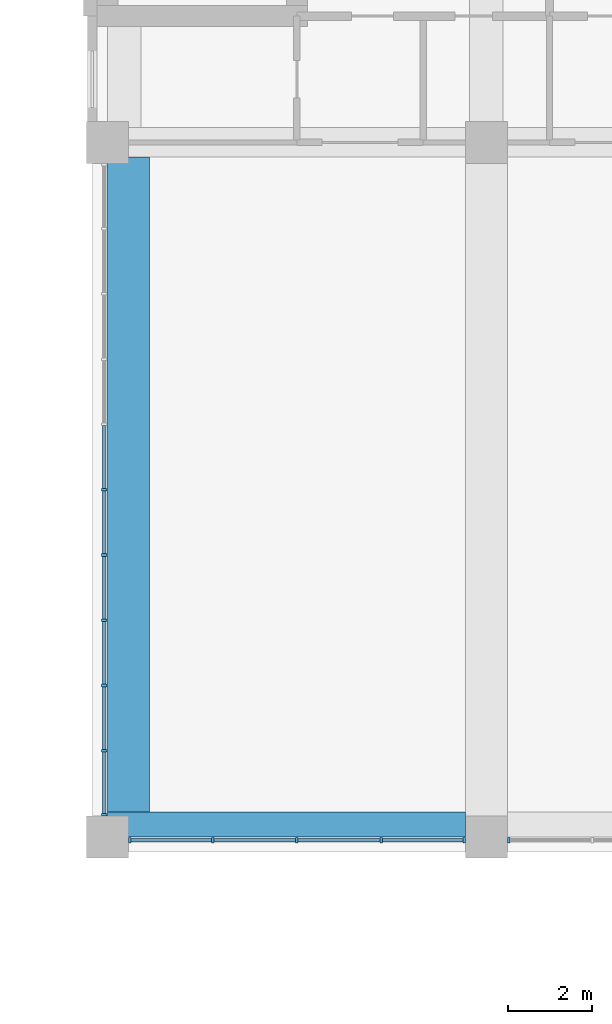
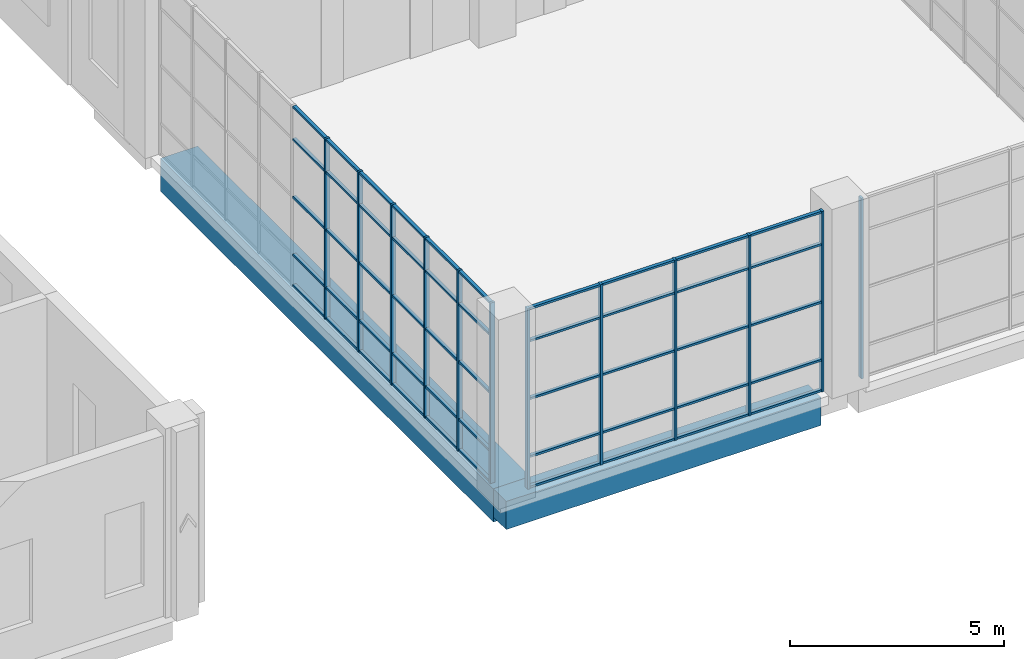
# One storey, part 6 of 33: 62 members, 2 beams, 3 elements without a shape of their own.
"""IFC4 building model written with IfcOpenShell, lengths in metres."""

from ifc_helpers import new_model, si_unit, direction, frame, origin, origin_2d, place, context, subcontext, project, spatial, rectangle, extrude, material, layer, layer_set, material_profile, profile_set, type_object, element, aggregate, save


model = new_model("IFC4")

# Units and contexts
model_context = context("Model", 3, precision=1e-05, world=origin(), true_north=direction((0.0, 1.0)))
body_context = subcontext(model_context, "Body", "Model", "MODEL_VIEW")
ifc_project = project(units=[si_unit("LENGTHUNIT", "METRE"), si_unit("AREAUNIT", "SQUARE_METRE"), si_unit("VOLUMEUNIT", "CUBIC_METRE"), si_unit("PLANEANGLEUNIT", "RADIAN"), si_unit("MASSUNIT", "GRAM", prefix="KILO")], contexts=[model_context])

# Site, building, storey
site_placement = place(None, origin())
site = spatial("IfcSite", under=ifc_project, at=site_placement, CompositionType="ELEMENT")
building_placement = place(site_placement, origin())
building = spatial("IfcBuilding", under=site, at=building_placement, Name="Aurelan Courthouse", CompositionType="ELEMENT")
storey_placement = place(building_placement, frame((0.0, 0.0, 22.800048828125)))
storey = spatial("IfcBuildingStorey", under=building, at=storey_placement, Name="L04", CompositionType="ELEMENT", Elevation=22.800048828125)

# Curtain wall, members
ifc_material_1 = material(Name="Bronze-finished aluminium and glass", Category="aluminium")
ifc_layer_1 = layer(ifc_material_1, 0.14990234375)
ifc_layer_set_1 = layer_set([ifc_layer_1], Name="Bronze-finished aluminium and glass")
curtain_wall_type_1 = type_object("IfcCurtainWallType", Name="Curtain wall 8000 x 5150", PredefinedType="NOTDEFINED", material=ifc_layer_set_1)
curtain_wall_1_placement = place(storey_placement, origin())
curtain_wall_1 = element("IfcCurtainWall", 1, at=curtain_wall_1_placement, inside=storey, type_object=curtain_wall_type_1, Name="Curtain wall CW-V3-L04-S01", PredefinedType="NOTDEFINED")
ifc_material_2 = material(Name="Bronze-finished aluminium", Category="aluminium")
ifc_material_profile_1 = material_profile(ifc_material_2, rectangle(XDim=0.125, YDim=0.06005859375, at=origin_2d()), Name="Bronze mullion 60 x 125")
ifc_profile_set_1 = profile_set([ifc_material_profile_1], Name="Bronze-finished aluminium")
member_type_1 = type_object("IfcMemberType", Name="Curtain wall mullion 60 x 125", PredefinedType="MULLION", material=ifc_profile_set_1)
member_1_placement = place(storey_placement, frame((72.530029296875, 37.425048828125, 0.0), z_axis=(0.0, 0.0, 1.0), x_axis=(0.0, 1.0, 0.0)))
member_1 = element("IfcMember", 2, at=member_1_placement, type_object=member_type_1, Name="CW-V3-L04-S01 mullion 1", PredefinedType="MULLION", context=body_context, shape_type="SweptSolid", body=[
    extrude(rectangle(XDim=0.125, YDim=0.06005859375, at=origin_2d()), origin(), (0.0, 0.0, 1.0), 5.14990234375),
])
member_2_placement = place(storey_placement, frame((74.5, 37.425048828125, 0.0), z_axis=(0.0, 0.0, 1.0), x_axis=(0.0, 1.0, 0.0)))
member_2 = element("IfcMember", 3, at=member_2_placement, type_object=member_type_1, Name="CW-V3-L04-S01 mullion 2", PredefinedType="MULLION", context=body_context, shape_type="SweptSolid", body=[
    extrude(rectangle(XDim=0.125, YDim=0.06005859375, at=origin_2d()), origin(), (0.0, 0.0, 1.0), 5.14990234375),
])
member_3_placement = place(storey_placement, frame((76.5, 37.425048828125, 0.0), z_axis=(0.0, 0.0, 1.0), x_axis=(0.0, 1.0, 0.0)))
member_3 = element("IfcMember", 4, at=member_3_placement, type_object=member_type_1, Name="CW-V3-L04-S01 mullion 3", PredefinedType="MULLION", context=body_context, shape_type="SweptSolid", body=[
    extrude(rectangle(XDim=0.125, YDim=0.06005859375, at=origin_2d()), origin(), (0.0, 0.0, 1.0), 5.14990234375),
])
member_4_placement = place(storey_placement, frame((78.5, 37.425048828125, 0.0), z_axis=(0.0, 0.0, 1.0), x_axis=(0.0, 1.0, 0.0)))
member_4 = element("IfcMember", 5, at=member_4_placement, type_object=member_type_1, Name="CW-V3-L04-S01 mullion 4", PredefinedType="MULLION", context=body_context, shape_type="SweptSolid", body=[
    extrude(rectangle(XDim=0.125, YDim=0.06005859375, at=origin_2d()), origin(), (0.0, 0.0, 1.0), 5.14990234375),
])
member_5_placement = place(storey_placement, frame((80.469970703125, 37.425048828125, 0.0), z_axis=(0.0, 0.0, 1.0), x_axis=(0.0, 1.0, 0.0)))
member_5 = element("IfcMember", 6, at=member_5_placement, type_object=member_type_1, Name="CW-V3-L04-S01 mullion 5", PredefinedType="MULLION", context=body_context, shape_type="SweptSolid", body=[
    extrude(rectangle(XDim=0.125, YDim=0.06005859375, at=origin_2d()), origin(), (0.0, 0.0, 1.0), 5.14990234375),
])

# Curtain wall, member
ifc_layer_2 = layer(ifc_material_1, 0.14990234375)
ifc_layer_set_2 = layer_set([ifc_layer_2], Name="Bronze-finished aluminium and glass")
curtain_wall_type_2 = type_object("IfcCurtainWallType", Name="Curtain wall 8050 x 5150", PredefinedType="NOTDEFINED", material=ifc_layer_set_2)
curtain_wall_2_placement = place(storey_placement, origin())
curtain_wall_2 = element("IfcCurtainWall", 7, at=curtain_wall_2_placement, inside=storey, type_object=curtain_wall_type_2, Name="Curtain wall CW-V3-L04-S02", PredefinedType="NOTDEFINED")
member_6_placement = place(storey_placement, frame((81.530029296875, 37.425048828125, 0.0), z_axis=(0.0, 0.0, 1.0), x_axis=(0.0, 1.0, 0.0)))
member_6 = element("IfcMember", 8, at=member_6_placement, type_object=member_type_1, Name="CW-V3-L04-S02 mullion 1", PredefinedType="MULLION", context=body_context, shape_type="SweptSolid", body=[
    extrude(rectangle(XDim=0.125, YDim=0.06005859375, at=origin_2d()), origin(), (0.0, 0.0, 1.0), 5.14990234375),
])
aggregate(curtain_wall_2, [member_6])

# Curtain wall, members
ifc_layer_3 = layer(ifc_material_1, 0.14990234375)
ifc_layer_set_3 = layer_set([ifc_layer_3], Name="Bronze-finished aluminium and glass")
curtain_wall_type_3 = type_object("IfcCurtainWallType", Name="Curtain wall 15500 x 5150", PredefinedType="NOTDEFINED", material=ifc_layer_set_3)
curtain_wall_3_placement = place(storey_placement, origin())
curtain_wall_3 = element("IfcCurtainWall", 9, at=curtain_wall_3_placement, inside=storey, type_object=curtain_wall_type_3, Name="Curtain wall CW-V3-L04-W01", PredefinedType="NOTDEFINED")
member_7_placement = place(storey_placement, frame((71.925048828125, 38.030029296875, 0.0), z_axis=(0.0, 0.0, 1.0), x_axis=(-1.0, 0.0, 0.0)))
member_7 = element("IfcMember", 10, at=member_7_placement, type_object=member_type_1, Name="CW-V3-L04-W01 mullion 1", PredefinedType="MULLION", context=body_context, shape_type="SweptSolid", body=[
    extrude(rectangle(XDim=0.125, YDim=0.06005859375, at=origin_2d()), origin(), (0.0, 0.0, 1.0), 5.14990234375),
])
member_8_placement = place(storey_placement, frame((71.925048828125, 39.550048828125, 0.0), z_axis=(0.0, 0.0, 1.0), x_axis=(-1.0, 0.0, 0.0)))
member_8 = element("IfcMember", 11, at=member_8_placement, type_object=member_type_1, Name="CW-V3-L04-W01 mullion 2", PredefinedType="MULLION", context=body_context, shape_type="SweptSolid", body=[
    extrude(rectangle(XDim=0.125, YDim=0.06005859375, at=origin_2d()), origin(), (0.0, 0.0, 1.0), 5.14990234375),
])
member_9_placement = place(storey_placement, frame((71.925048828125, 41.10009765625, 0.0), z_axis=(0.0, 0.0, 1.0), x_axis=(-1.0, 0.0, 0.0)))
member_9 = element("IfcMember", 12, at=member_9_placement, type_object=member_type_1, Name="CW-V3-L04-W01 mullion 3", PredefinedType="MULLION", context=body_context, shape_type="SweptSolid", body=[
    extrude(rectangle(XDim=0.125, YDim=0.06005859375, at=origin_2d()), origin(), (0.0, 0.0, 1.0), 5.14990234375),
])
member_10_placement = place(storey_placement, frame((71.925048828125, 42.64990234375, 0.0), z_axis=(0.0, 0.0, 1.0), x_axis=(-1.0, 0.0, 0.0)))
member_10 = element("IfcMember", 13, at=member_10_placement, type_object=member_type_1, Name="CW-V3-L04-W01 mullion 4", PredefinedType="MULLION", context=body_context, shape_type="SweptSolid", body=[
    extrude(rectangle(XDim=0.125, YDim=0.06005859375, at=origin_2d()), origin(), (0.0, 0.0, 1.0), 5.14990234375),
])
member_11_placement = place(storey_placement, frame((71.925048828125, 44.199951171875, 0.0), z_axis=(0.0, 0.0, 1.0), x_axis=(-1.0, 0.0, 0.0)))
member_11 = element("IfcMember", 14, at=member_11_placement, type_object=member_type_1, Name="CW-V3-L04-W01 mullion 5", PredefinedType="MULLION", context=body_context, shape_type="SweptSolid", body=[
    extrude(rectangle(XDim=0.125, YDim=0.06005859375, at=origin_2d()), origin(), (0.0, 0.0, 1.0), 5.14990234375),
])
member_12_placement = place(storey_placement, frame((71.925048828125, 45.75, 0.0), z_axis=(0.0, 0.0, 1.0), x_axis=(-1.0, 0.0, 0.0)))
member_12 = element("IfcMember", 15, at=member_12_placement, type_object=member_type_1, Name="CW-V3-L04-W01 mullion 6", PredefinedType="MULLION", context=body_context, shape_type="SweptSolid", body=[
    extrude(rectangle(XDim=0.125, YDim=0.06005859375, at=origin_2d()), origin(), (0.0, 0.0, 1.0), 5.14990234375),
])

# Member
ifc_material_profile_2 = material_profile(ifc_material_2, rectangle(XDim=0.090087890625, YDim=0.06005859375, at=origin_2d()), Name="Bronze transom 60 x 90")
ifc_profile_set_2 = profile_set([ifc_material_profile_2], Name="Bronze-finished aluminium")
member_type_2 = type_object("IfcMemberType", Name="Curtain wall transom 60 x 90", PredefinedType="USERDEFINED", material=ifc_profile_set_2)
member_13_placement = place(storey_placement, frame((72.56005859375, 37.425048828125, 0.030029296875), z_axis=(1.0, 0.0, 0.0), x_axis=(0.0, 1.0, 0.0)))
member_13 = element("IfcMember", 16, at=member_13_placement, type_object=member_type_2, Name="CW-V3-L04-S01 transom 1.1", ObjectType="TRANSOM", PredefinedType="USERDEFINED", context=body_context, shape_type="SweptSolid", body=[
    extrude(rectangle(XDim=0.090087890625, YDim=0.06005859375, at=origin_2d()), origin(), (0.0, 0.0, 1.0), 1.909912109375),
])

member_14_placement = place(storey_placement, frame((72.56005859375, 37.425048828125, 0.89990234375), z_axis=(1.0, 0.0, 0.0), x_axis=(0.0, 1.0, 0.0)))
member_14 = element("IfcMember", 17, at=member_14_placement, type_object=member_type_2, Name="CW-V3-L04-S01 transom 1.2", ObjectType="TRANSOM", PredefinedType="USERDEFINED", context=body_context, shape_type="SweptSolid", body=[
    extrude(rectangle(XDim=0.090087890625, YDim=0.06005859375, at=origin_2d()), origin(), (0.0, 0.0, 1.0), 1.909912109375),
])

member_15_placement = place(storey_placement, frame((72.56005859375, 37.425048828125, 2.550048828125), z_axis=(1.0, 0.0, 0.0), x_axis=(0.0, 1.0, 0.0)))
member_15 = element("IfcMember", 18, at=member_15_placement, type_object=member_type_2, Name="CW-V3-L04-S01 transom 1.3", ObjectType="TRANSOM", PredefinedType="USERDEFINED", context=body_context, shape_type="SweptSolid", body=[
    extrude(rectangle(XDim=0.090087890625, YDim=0.06005859375, at=origin_2d()), origin(), (0.0, 0.0, 1.0), 1.909912109375),
])

member_16_placement = place(storey_placement, frame((72.56005859375, 37.425048828125, 4.199951171875), z_axis=(1.0, 0.0, 0.0), x_axis=(0.0, 1.0, 0.0)))
member_16 = element("IfcMember", 19, at=member_16_placement, type_object=member_type_2, Name="CW-V3-L04-S01 transom 1.4", ObjectType="TRANSOM", PredefinedType="USERDEFINED", context=body_context, shape_type="SweptSolid", body=[
    extrude(rectangle(XDim=0.090087890625, YDim=0.06005859375, at=origin_2d()), origin(), (0.0, 0.0, 1.0), 1.909912109375),
])

member_17_placement = place(storey_placement, frame((72.56005859375, 37.425048828125, 5.119873046875), z_axis=(1.0, 0.0, 0.0), x_axis=(0.0, 1.0, 0.0)))
member_17 = element("IfcMember", 20, at=member_17_placement, type_object=member_type_2, Name="CW-V3-L04-S01 transom 1.5", ObjectType="TRANSOM", PredefinedType="USERDEFINED", context=body_context, shape_type="SweptSolid", body=[
    extrude(rectangle(XDim=0.090087890625, YDim=0.06005859375, at=origin_2d()), origin(), (0.0, 0.0, 1.0), 1.909912109375),
])

member_18_placement = place(storey_placement, frame((74.530029296875, 37.425048828125, 0.030029296875), z_axis=(1.0, 0.0, 0.0), x_axis=(0.0, 1.0, 0.0)))
member_18 = element("IfcMember", 21, at=member_18_placement, type_object=member_type_2, Name="CW-V3-L04-S01 transom 2.1", ObjectType="TRANSOM", PredefinedType="USERDEFINED", context=body_context, shape_type="SweptSolid", body=[
    extrude(rectangle(XDim=0.090087890625, YDim=0.06005859375, at=origin_2d()), origin(), (0.0, 0.0, 1.0), 1.93994140625),
])

member_19_placement = place(storey_placement, frame((74.530029296875, 37.425048828125, 0.89990234375), z_axis=(1.0, 0.0, 0.0), x_axis=(0.0, 1.0, 0.0)))
member_19 = element("IfcMember", 22, at=member_19_placement, type_object=member_type_2, Name="CW-V3-L04-S01 transom 2.2", ObjectType="TRANSOM", PredefinedType="USERDEFINED", context=body_context, shape_type="SweptSolid", body=[
    extrude(rectangle(XDim=0.090087890625, YDim=0.06005859375, at=origin_2d()), origin(), (0.0, 0.0, 1.0), 1.93994140625),
])

member_20_placement = place(storey_placement, frame((74.530029296875, 37.425048828125, 2.550048828125), z_axis=(1.0, 0.0, 0.0), x_axis=(0.0, 1.0, 0.0)))
member_20 = element("IfcMember", 23, at=member_20_placement, type_object=member_type_2, Name="CW-V3-L04-S01 transom 2.3", ObjectType="TRANSOM", PredefinedType="USERDEFINED", context=body_context, shape_type="SweptSolid", body=[
    extrude(rectangle(XDim=0.090087890625, YDim=0.06005859375, at=origin_2d()), origin(), (0.0, 0.0, 1.0), 1.93994140625),
])

member_21_placement = place(storey_placement, frame((74.530029296875, 37.425048828125, 4.199951171875), z_axis=(1.0, 0.0, 0.0), x_axis=(0.0, 1.0, 0.0)))
member_21 = element("IfcMember", 24, at=member_21_placement, type_object=member_type_2, Name="CW-V3-L04-S01 transom 2.4", ObjectType="TRANSOM", PredefinedType="USERDEFINED", context=body_context, shape_type="SweptSolid", body=[
    extrude(rectangle(XDim=0.090087890625, YDim=0.06005859375, at=origin_2d()), origin(), (0.0, 0.0, 1.0), 1.93994140625),
])

member_22_placement = place(storey_placement, frame((74.530029296875, 37.425048828125, 5.119873046875), z_axis=(1.0, 0.0, 0.0), x_axis=(0.0, 1.0, 0.0)))
member_22 = element("IfcMember", 25, at=member_22_placement, type_object=member_type_2, Name="CW-V3-L04-S01 transom 2.5", ObjectType="TRANSOM", PredefinedType="USERDEFINED", context=body_context, shape_type="SweptSolid", body=[
    extrude(rectangle(XDim=0.090087890625, YDim=0.06005859375, at=origin_2d()), origin(), (0.0, 0.0, 1.0), 1.93994140625),
])

member_23_placement = place(storey_placement, frame((76.530029296875, 37.425048828125, 0.030029296875), z_axis=(1.0, 0.0, 0.0), x_axis=(0.0, 1.0, 0.0)))
member_23 = element("IfcMember", 26, at=member_23_placement, type_object=member_type_2, Name="CW-V3-L04-S01 transom 3.1", ObjectType="TRANSOM", PredefinedType="USERDEFINED", context=body_context, shape_type="SweptSolid", body=[
    extrude(rectangle(XDim=0.090087890625, YDim=0.06005859375, at=origin_2d()), origin(), (0.0, 0.0, 1.0), 1.93994140625),
])

member_24_placement = place(storey_placement, frame((76.530029296875, 37.425048828125, 0.89990234375), z_axis=(1.0, 0.0, 0.0), x_axis=(0.0, 1.0, 0.0)))
member_24 = element("IfcMember", 27, at=member_24_placement, type_object=member_type_2, Name="CW-V3-L04-S01 transom 3.2", ObjectType="TRANSOM", PredefinedType="USERDEFINED", context=body_context, shape_type="SweptSolid", body=[
    extrude(rectangle(XDim=0.090087890625, YDim=0.06005859375, at=origin_2d()), origin(), (0.0, 0.0, 1.0), 1.93994140625),
])

member_25_placement = place(storey_placement, frame((76.530029296875, 37.425048828125, 2.550048828125), z_axis=(1.0, 0.0, 0.0), x_axis=(0.0, 1.0, 0.0)))
member_25 = element("IfcMember", 28, at=member_25_placement, type_object=member_type_2, Name="CW-V3-L04-S01 transom 3.3", ObjectType="TRANSOM", PredefinedType="USERDEFINED", context=body_context, shape_type="SweptSolid", body=[
    extrude(rectangle(XDim=0.090087890625, YDim=0.06005859375, at=origin_2d()), origin(), (0.0, 0.0, 1.0), 1.93994140625),
])

member_26_placement = place(storey_placement, frame((76.530029296875, 37.425048828125, 4.199951171875), z_axis=(1.0, 0.0, 0.0), x_axis=(0.0, 1.0, 0.0)))
member_26 = element("IfcMember", 29, at=member_26_placement, type_object=member_type_2, Name="CW-V3-L04-S01 transom 3.4", ObjectType="TRANSOM", PredefinedType="USERDEFINED", context=body_context, shape_type="SweptSolid", body=[
    extrude(rectangle(XDim=0.090087890625, YDim=0.06005859375, at=origin_2d()), origin(), (0.0, 0.0, 1.0), 1.93994140625),
])

member_27_placement = place(storey_placement, frame((76.530029296875, 37.425048828125, 5.119873046875), z_axis=(1.0, 0.0, 0.0), x_axis=(0.0, 1.0, 0.0)))
member_27 = element("IfcMember", 30, at=member_27_placement, type_object=member_type_2, Name="CW-V3-L04-S01 transom 3.5", ObjectType="TRANSOM", PredefinedType="USERDEFINED", context=body_context, shape_type="SweptSolid", body=[
    extrude(rectangle(XDim=0.090087890625, YDim=0.06005859375, at=origin_2d()), origin(), (0.0, 0.0, 1.0), 1.93994140625),
])

member_28_placement = place(storey_placement, frame((78.530029296875, 37.425048828125, 0.030029296875), z_axis=(1.0, 0.0, 0.0), x_axis=(0.0, 1.0, 0.0)))
member_28 = element("IfcMember", 31, at=member_28_placement, type_object=member_type_2, Name="CW-V3-L04-S01 transom 4.1", ObjectType="TRANSOM", PredefinedType="USERDEFINED", context=body_context, shape_type="SweptSolid", body=[
    extrude(rectangle(XDim=0.090087890625, YDim=0.06005859375, at=origin_2d()), origin(), (0.0, 0.0, 1.0), 1.909912109375),
])

member_29_placement = place(storey_placement, frame((78.530029296875, 37.425048828125, 0.89990234375), z_axis=(1.0, 0.0, 0.0), x_axis=(0.0, 1.0, 0.0)))
member_29 = element("IfcMember", 32, at=member_29_placement, type_object=member_type_2, Name="CW-V3-L04-S01 transom 4.2", ObjectType="TRANSOM", PredefinedType="USERDEFINED", context=body_context, shape_type="SweptSolid", body=[
    extrude(rectangle(XDim=0.090087890625, YDim=0.06005859375, at=origin_2d()), origin(), (0.0, 0.0, 1.0), 1.909912109375),
])

member_30_placement = place(storey_placement, frame((78.530029296875, 37.425048828125, 2.550048828125), z_axis=(1.0, 0.0, 0.0), x_axis=(0.0, 1.0, 0.0)))
member_30 = element("IfcMember", 33, at=member_30_placement, type_object=member_type_2, Name="CW-V3-L04-S01 transom 4.3", ObjectType="TRANSOM", PredefinedType="USERDEFINED", context=body_context, shape_type="SweptSolid", body=[
    extrude(rectangle(XDim=0.090087890625, YDim=0.06005859375, at=origin_2d()), origin(), (0.0, 0.0, 1.0), 1.909912109375),
])

member_31_placement = place(storey_placement, frame((78.530029296875, 37.425048828125, 4.199951171875), z_axis=(1.0, 0.0, 0.0), x_axis=(0.0, 1.0, 0.0)))
member_31 = element("IfcMember", 34, at=member_31_placement, type_object=member_type_2, Name="CW-V3-L04-S01 transom 4.4", ObjectType="TRANSOM", PredefinedType="USERDEFINED", context=body_context, shape_type="SweptSolid", body=[
    extrude(rectangle(XDim=0.090087890625, YDim=0.06005859375, at=origin_2d()), origin(), (0.0, 0.0, 1.0), 1.909912109375),
])

member_32_placement = place(storey_placement, frame((78.530029296875, 37.425048828125, 5.119873046875), z_axis=(1.0, 0.0, 0.0), x_axis=(0.0, 1.0, 0.0)))
member_32 = element("IfcMember", 35, at=member_32_placement, type_object=member_type_2, Name="CW-V3-L04-S01 transom 4.5", ObjectType="TRANSOM", PredefinedType="USERDEFINED", context=body_context, shape_type="SweptSolid", body=[
    extrude(rectangle(XDim=0.090087890625, YDim=0.06005859375, at=origin_2d()), origin(), (0.0, 0.0, 1.0), 1.909912109375),
])

aggregate(curtain_wall_1, [member_1, member_2, member_3, member_4, member_5, member_13, member_14, member_15, member_16, member_17, member_18, member_19, member_20, member_21, member_22, member_23, member_24, member_25, member_26, member_27, member_28, member_29, member_30, member_31, member_32])

member_33_placement = place(storey_placement, frame((71.925048828125, 38.06005859375, 0.030029296875), z_axis=(0.0, 1.0, 0.0), x_axis=(-1.0, 0.0, 0.0)))
member_33 = element("IfcMember", 36, at=member_33_placement, type_object=member_type_2, Name="CW-V3-L04-W01 transom 1.1", ObjectType="TRANSOM", PredefinedType="USERDEFINED", context=body_context, shape_type="SweptSolid", body=[
    extrude(rectangle(XDim=0.090087890625, YDim=0.06005859375, at=origin_2d()), origin(), (0.0, 0.0, 1.0), 1.4599609375),
])

member_34_placement = place(storey_placement, frame((71.925048828125, 38.06005859375, 0.89990234375), z_axis=(0.0, 1.0, 0.0), x_axis=(-1.0, 0.0, 0.0)))
member_34 = element("IfcMember", 37, at=member_34_placement, type_object=member_type_2, Name="CW-V3-L04-W01 transom 1.2", ObjectType="TRANSOM", PredefinedType="USERDEFINED", context=body_context, shape_type="SweptSolid", body=[
    extrude(rectangle(XDim=0.090087890625, YDim=0.06005859375, at=origin_2d()), origin(), (0.0, 0.0, 1.0), 1.4599609375),
])

member_35_placement = place(storey_placement, frame((71.925048828125, 38.06005859375, 2.550048828125), z_axis=(0.0, 1.0, 0.0), x_axis=(-1.0, 0.0, 0.0)))
member_35 = element("IfcMember", 38, at=member_35_placement, type_object=member_type_2, Name="CW-V3-L04-W01 transom 1.3", ObjectType="TRANSOM", PredefinedType="USERDEFINED", context=body_context, shape_type="SweptSolid", body=[
    extrude(rectangle(XDim=0.090087890625, YDim=0.06005859375, at=origin_2d()), origin(), (0.0, 0.0, 1.0), 1.4599609375),
])

member_36_placement = place(storey_placement, frame((71.925048828125, 38.06005859375, 4.199951171875), z_axis=(0.0, 1.0, 0.0), x_axis=(-1.0, 0.0, 0.0)))
member_36 = element("IfcMember", 39, at=member_36_placement, type_object=member_type_2, Name="CW-V3-L04-W01 transom 1.4", ObjectType="TRANSOM", PredefinedType="USERDEFINED", context=body_context, shape_type="SweptSolid", body=[
    extrude(rectangle(XDim=0.090087890625, YDim=0.06005859375, at=origin_2d()), origin(), (0.0, 0.0, 1.0), 1.4599609375),
])

member_37_placement = place(storey_placement, frame((71.925048828125, 38.06005859375, 5.119873046875), z_axis=(0.0, 1.0, 0.0), x_axis=(-1.0, 0.0, 0.0)))
member_37 = element("IfcMember", 40, at=member_37_placement, type_object=member_type_2, Name="CW-V3-L04-W01 transom 1.5", ObjectType="TRANSOM", PredefinedType="USERDEFINED", context=body_context, shape_type="SweptSolid", body=[
    extrude(rectangle(XDim=0.090087890625, YDim=0.06005859375, at=origin_2d()), origin(), (0.0, 0.0, 1.0), 1.4599609375),
])

member_38_placement = place(storey_placement, frame((71.925048828125, 39.580078125, 0.030029296875), z_axis=(0.0, 1.0, 0.0), x_axis=(-1.0, 0.0, 0.0)))
member_38 = element("IfcMember", 41, at=member_38_placement, type_object=member_type_2, Name="CW-V3-L04-W01 transom 2.1", ObjectType="TRANSOM", PredefinedType="USERDEFINED", context=body_context, shape_type="SweptSolid", body=[
    extrude(rectangle(XDim=0.090087890625, YDim=0.06005859375, at=origin_2d()), origin(), (0.0, 0.0, 1.0), 1.489990234375),
])

member_39_placement = place(storey_placement, frame((71.925048828125, 39.580078125, 0.89990234375), z_axis=(0.0, 1.0, 0.0), x_axis=(-1.0, 0.0, 0.0)))
member_39 = element("IfcMember", 42, at=member_39_placement, type_object=member_type_2, Name="CW-V3-L04-W01 transom 2.2", ObjectType="TRANSOM", PredefinedType="USERDEFINED", context=body_context, shape_type="SweptSolid", body=[
    extrude(rectangle(XDim=0.090087890625, YDim=0.06005859375, at=origin_2d()), origin(), (0.0, 0.0, 1.0), 1.489990234375),
])

member_40_placement = place(storey_placement, frame((71.925048828125, 39.580078125, 2.550048828125), z_axis=(0.0, 1.0, 0.0), x_axis=(-1.0, 0.0, 0.0)))
member_40 = element("IfcMember", 43, at=member_40_placement, type_object=member_type_2, Name="CW-V3-L04-W01 transom 2.3", ObjectType="TRANSOM", PredefinedType="USERDEFINED", context=body_context, shape_type="SweptSolid", body=[
    extrude(rectangle(XDim=0.090087890625, YDim=0.06005859375, at=origin_2d()), origin(), (0.0, 0.0, 1.0), 1.489990234375),
])

member_41_placement = place(storey_placement, frame((71.925048828125, 39.580078125, 4.199951171875), z_axis=(0.0, 1.0, 0.0), x_axis=(-1.0, 0.0, 0.0)))
member_41 = element("IfcMember", 44, at=member_41_placement, type_object=member_type_2, Name="CW-V3-L04-W01 transom 2.4", ObjectType="TRANSOM", PredefinedType="USERDEFINED", context=body_context, shape_type="SweptSolid", body=[
    extrude(rectangle(XDim=0.090087890625, YDim=0.06005859375, at=origin_2d()), origin(), (0.0, 0.0, 1.0), 1.489990234375),
])

member_42_placement = place(storey_placement, frame((71.925048828125, 39.580078125, 5.119873046875), z_axis=(0.0, 1.0, 0.0), x_axis=(-1.0, 0.0, 0.0)))
member_42 = element("IfcMember", 45, at=member_42_placement, type_object=member_type_2, Name="CW-V3-L04-W01 transom 2.5", ObjectType="TRANSOM", PredefinedType="USERDEFINED", context=body_context, shape_type="SweptSolid", body=[
    extrude(rectangle(XDim=0.090087890625, YDim=0.06005859375, at=origin_2d()), origin(), (0.0, 0.0, 1.0), 1.489990234375),
])

member_43_placement = place(storey_placement, frame((71.925048828125, 41.1298828125, 0.030029296875), z_axis=(0.0, 1.0, 0.0), x_axis=(-1.0, 0.0, 0.0)))
member_43 = element("IfcMember", 46, at=member_43_placement, type_object=member_type_2, Name="CW-V3-L04-W01 transom 3.1", ObjectType="TRANSOM", PredefinedType="USERDEFINED", context=body_context, shape_type="SweptSolid", body=[
    extrude(rectangle(XDim=0.090087890625, YDim=0.06005859375, at=origin_2d()), origin(), (0.0, 0.0, 1.0), 1.490234375),
])

member_44_placement = place(storey_placement, frame((71.925048828125, 41.1298828125, 0.89990234375), z_axis=(0.0, 1.0, 0.0), x_axis=(-1.0, 0.0, 0.0)))
member_44 = element("IfcMember", 47, at=member_44_placement, type_object=member_type_2, Name="CW-V3-L04-W01 transom 3.2", ObjectType="TRANSOM", PredefinedType="USERDEFINED", context=body_context, shape_type="SweptSolid", body=[
    extrude(rectangle(XDim=0.090087890625, YDim=0.06005859375, at=origin_2d()), origin(), (0.0, 0.0, 1.0), 1.490234375),
])

member_45_placement = place(storey_placement, frame((71.925048828125, 41.1298828125, 2.550048828125), z_axis=(0.0, 1.0, 0.0), x_axis=(-1.0, 0.0, 0.0)))
member_45 = element("IfcMember", 48, at=member_45_placement, type_object=member_type_2, Name="CW-V3-L04-W01 transom 3.3", ObjectType="TRANSOM", PredefinedType="USERDEFINED", context=body_context, shape_type="SweptSolid", body=[
    extrude(rectangle(XDim=0.090087890625, YDim=0.06005859375, at=origin_2d()), origin(), (0.0, 0.0, 1.0), 1.490234375),
])

member_46_placement = place(storey_placement, frame((71.925048828125, 41.1298828125, 4.199951171875), z_axis=(0.0, 1.0, 0.0), x_axis=(-1.0, 0.0, 0.0)))
member_46 = element("IfcMember", 49, at=member_46_placement, type_object=member_type_2, Name="CW-V3-L04-W01 transom 3.4", ObjectType="TRANSOM", PredefinedType="USERDEFINED", context=body_context, shape_type="SweptSolid", body=[
    extrude(rectangle(XDim=0.090087890625, YDim=0.06005859375, at=origin_2d()), origin(), (0.0, 0.0, 1.0), 1.490234375),
])

member_47_placement = place(storey_placement, frame((71.925048828125, 41.1298828125, 5.119873046875), z_axis=(0.0, 1.0, 0.0), x_axis=(-1.0, 0.0, 0.0)))
member_47 = element("IfcMember", 50, at=member_47_placement, type_object=member_type_2, Name="CW-V3-L04-W01 transom 3.5", ObjectType="TRANSOM", PredefinedType="USERDEFINED", context=body_context, shape_type="SweptSolid", body=[
    extrude(rectangle(XDim=0.090087890625, YDim=0.06005859375, at=origin_2d()), origin(), (0.0, 0.0, 1.0), 1.490234375),
])

member_48_placement = place(storey_placement, frame((71.925048828125, 42.679931640625, 0.030029296875), z_axis=(0.0, 1.0, 0.0), x_axis=(-1.0, 0.0, 0.0)))
member_48 = element("IfcMember", 51, at=member_48_placement, type_object=member_type_2, Name="CW-V3-L04-W01 transom 4.1", ObjectType="TRANSOM", PredefinedType="USERDEFINED", context=body_context, shape_type="SweptSolid", body=[
    extrude(rectangle(XDim=0.090087890625, YDim=0.06005859375, at=origin_2d()), origin(), (0.0, 0.0, 1.0), 1.489990234375),
])

member_49_placement = place(storey_placement, frame((71.925048828125, 42.679931640625, 0.89990234375), z_axis=(0.0, 1.0, 0.0), x_axis=(-1.0, 0.0, 0.0)))
member_49 = element("IfcMember", 52, at=member_49_placement, type_object=member_type_2, Name="CW-V3-L04-W01 transom 4.2", ObjectType="TRANSOM", PredefinedType="USERDEFINED", context=body_context, shape_type="SweptSolid", body=[
    extrude(rectangle(XDim=0.090087890625, YDim=0.06005859375, at=origin_2d()), origin(), (0.0, 0.0, 1.0), 1.489990234375),
])

member_50_placement = place(storey_placement, frame((71.925048828125, 42.679931640625, 2.550048828125), z_axis=(0.0, 1.0, 0.0), x_axis=(-1.0, 0.0, 0.0)))
member_50 = element("IfcMember", 53, at=member_50_placement, type_object=member_type_2, Name="CW-V3-L04-W01 transom 4.3", ObjectType="TRANSOM", PredefinedType="USERDEFINED", context=body_context, shape_type="SweptSolid", body=[
    extrude(rectangle(XDim=0.090087890625, YDim=0.06005859375, at=origin_2d()), origin(), (0.0, 0.0, 1.0), 1.489990234375),
])

member_51_placement = place(storey_placement, frame((71.925048828125, 42.679931640625, 4.199951171875), z_axis=(0.0, 1.0, 0.0), x_axis=(-1.0, 0.0, 0.0)))
member_51 = element("IfcMember", 54, at=member_51_placement, type_object=member_type_2, Name="CW-V3-L04-W01 transom 4.4", ObjectType="TRANSOM", PredefinedType="USERDEFINED", context=body_context, shape_type="SweptSolid", body=[
    extrude(rectangle(XDim=0.090087890625, YDim=0.06005859375, at=origin_2d()), origin(), (0.0, 0.0, 1.0), 1.489990234375),
])

member_52_placement = place(storey_placement, frame((71.925048828125, 42.679931640625, 5.119873046875), z_axis=(0.0, 1.0, 0.0), x_axis=(-1.0, 0.0, 0.0)))
member_52 = element("IfcMember", 55, at=member_52_placement, type_object=member_type_2, Name="CW-V3-L04-W01 transom 4.5", ObjectType="TRANSOM", PredefinedType="USERDEFINED", context=body_context, shape_type="SweptSolid", body=[
    extrude(rectangle(XDim=0.090087890625, YDim=0.06005859375, at=origin_2d()), origin(), (0.0, 0.0, 1.0), 1.489990234375),
])

member_53_placement = place(storey_placement, frame((71.925048828125, 44.22998046875, 0.030029296875), z_axis=(0.0, 1.0, 0.0), x_axis=(-1.0, 0.0, 0.0)))
member_53 = element("IfcMember", 56, at=member_53_placement, type_object=member_type_2, Name="CW-V3-L04-W01 transom 5.1", ObjectType="TRANSOM", PredefinedType="USERDEFINED", context=body_context, shape_type="SweptSolid", body=[
    extrude(rectangle(XDim=0.090087890625, YDim=0.06005859375, at=origin_2d()), origin(), (0.0, 0.0, 1.0), 1.489990234375),
])

member_54_placement = place(storey_placement, frame((71.925048828125, 44.22998046875, 0.89990234375), z_axis=(0.0, 1.0, 0.0), x_axis=(-1.0, 0.0, 0.0)))
member_54 = element("IfcMember", 57, at=member_54_placement, type_object=member_type_2, Name="CW-V3-L04-W01 transom 5.2", ObjectType="TRANSOM", PredefinedType="USERDEFINED", context=body_context, shape_type="SweptSolid", body=[
    extrude(rectangle(XDim=0.090087890625, YDim=0.06005859375, at=origin_2d()), origin(), (0.0, 0.0, 1.0), 1.489990234375),
])

member_55_placement = place(storey_placement, frame((71.925048828125, 44.22998046875, 2.550048828125), z_axis=(0.0, 1.0, 0.0), x_axis=(-1.0, 0.0, 0.0)))
member_55 = element("IfcMember", 58, at=member_55_placement, type_object=member_type_2, Name="CW-V3-L04-W01 transom 5.3", ObjectType="TRANSOM", PredefinedType="USERDEFINED", context=body_context, shape_type="SweptSolid", body=[
    extrude(rectangle(XDim=0.090087890625, YDim=0.06005859375, at=origin_2d()), origin(), (0.0, 0.0, 1.0), 1.489990234375),
])

member_56_placement = place(storey_placement, frame((71.925048828125, 44.22998046875, 4.199951171875), z_axis=(0.0, 1.0, 0.0), x_axis=(-1.0, 0.0, 0.0)))
member_56 = element("IfcMember", 59, at=member_56_placement, type_object=member_type_2, Name="CW-V3-L04-W01 transom 5.4", ObjectType="TRANSOM", PredefinedType="USERDEFINED", context=body_context, shape_type="SweptSolid", body=[
    extrude(rectangle(XDim=0.090087890625, YDim=0.06005859375, at=origin_2d()), origin(), (0.0, 0.0, 1.0), 1.489990234375),
])

member_57_placement = place(storey_placement, frame((71.925048828125, 44.22998046875, 5.119873046875), z_axis=(0.0, 1.0, 0.0), x_axis=(-1.0, 0.0, 0.0)))
member_57 = element("IfcMember", 60, at=member_57_placement, type_object=member_type_2, Name="CW-V3-L04-W01 transom 5.5", ObjectType="TRANSOM", PredefinedType="USERDEFINED", context=body_context, shape_type="SweptSolid", body=[
    extrude(rectangle(XDim=0.090087890625, YDim=0.06005859375, at=origin_2d()), origin(), (0.0, 0.0, 1.0), 1.489990234375),
])

member_58_placement = place(storey_placement, frame((71.925048828125, 45.780029296875, 0.030029296875), z_axis=(0.0, 1.0, 0.0), x_axis=(-1.0, 0.0, 0.0)))
member_58 = element("IfcMember", 61, at=member_58_placement, type_object=member_type_2, Name="CW-V3-L04-W01 transom 6.1", ObjectType="TRANSOM", PredefinedType="USERDEFINED", context=body_context, shape_type="SweptSolid", body=[
    extrude(rectangle(XDim=0.090087890625, YDim=0.06005859375, at=origin_2d()), origin(), (0.0, 0.0, 1.0), 1.489990234375),
])

member_59_placement = place(storey_placement, frame((71.925048828125, 45.780029296875, 0.89990234375), z_axis=(0.0, 1.0, 0.0), x_axis=(-1.0, 0.0, 0.0)))
member_59 = element("IfcMember", 62, at=member_59_placement, type_object=member_type_2, Name="CW-V3-L04-W01 transom 6.2", ObjectType="TRANSOM", PredefinedType="USERDEFINED", context=body_context, shape_type="SweptSolid", body=[
    extrude(rectangle(XDim=0.090087890625, YDim=0.06005859375, at=origin_2d()), origin(), (0.0, 0.0, 1.0), 1.489990234375),
])

member_60_placement = place(storey_placement, frame((71.925048828125, 45.780029296875, 2.550048828125), z_axis=(0.0, 1.0, 0.0), x_axis=(-1.0, 0.0, 0.0)))
member_60 = element("IfcMember", 63, at=member_60_placement, type_object=member_type_2, Name="CW-V3-L04-W01 transom 6.3", ObjectType="TRANSOM", PredefinedType="USERDEFINED", context=body_context, shape_type="SweptSolid", body=[
    extrude(rectangle(XDim=0.090087890625, YDim=0.06005859375, at=origin_2d()), origin(), (0.0, 0.0, 1.0), 1.489990234375),
])

member_61_placement = place(storey_placement, frame((71.925048828125, 45.780029296875, 4.199951171875), z_axis=(0.0, 1.0, 0.0), x_axis=(-1.0, 0.0, 0.0)))
member_61 = element("IfcMember", 64, at=member_61_placement, type_object=member_type_2, Name="CW-V3-L04-W01 transom 6.4", ObjectType="TRANSOM", PredefinedType="USERDEFINED", context=body_context, shape_type="SweptSolid", body=[
    extrude(rectangle(XDim=0.090087890625, YDim=0.06005859375, at=origin_2d()), origin(), (0.0, 0.0, 1.0), 1.489990234375),
])

member_62_placement = place(storey_placement, frame((71.925048828125, 45.780029296875, 5.119873046875), z_axis=(0.0, 1.0, 0.0), x_axis=(-1.0, 0.0, 0.0)))
member_62 = element("IfcMember", 65, at=member_62_placement, type_object=member_type_2, Name="CW-V3-L04-W01 transom 6.5", ObjectType="TRANSOM", PredefinedType="USERDEFINED", context=body_context, shape_type="SweptSolid", body=[
    extrude(rectangle(XDim=0.090087890625, YDim=0.06005859375, at=origin_2d()), origin(), (0.0, 0.0, 1.0), 1.489990234375),
])

aggregate(curtain_wall_3, [member_7, member_8, member_9, member_10, member_11, member_12, member_33, member_34, member_35, member_36, member_37, member_38, member_39, member_40, member_41, member_42, member_43, member_44, member_45, member_46, member_47, member_48, member_49, member_50, member_51, member_52, member_53, member_54, member_55, member_56, member_57, member_58, member_59, member_60, member_61, member_62])

# Beams
ifc_material_3 = material(Name="Concrete C50", Category="concrete")
ifc_material_profile_3 = material_profile(ifc_material_3, rectangle(XDim=1.0, YDim=0.949951171875, at=origin_2d()), Name="RC 1000 x 950")
ifc_profile_set_3 = profile_set([ifc_material_profile_3], Name="Concrete C50")
beam_type_1 = type_object("IfcBeamType", Name="PT girder 1000 x 950", PredefinedType="BEAM", material=ifc_profile_set_3)
beam_1_placement = place(storey_placement, frame((72.5, 38.10009765625, -0.72509765625), z_axis=(0.0, 1.0, 0.0), x_axis=(-1.0, 0.0, 0.0)))
element("IfcBeam", 66, at=beam_1_placement, inside=storey, type_object=beam_type_1, Name="Girder GB-9DE-E", PredefinedType="BEAM", context=body_context, shape_type="SweptSolid", body=[
    extrude(rectangle(XDim=1.0, YDim=0.949951171875, at=origin_2d()), origin(), (0.0, 0.0, 1.0), 15.5498046875),
])
ifc_material_profile_4 = material_profile(ifc_material_3, rectangle(XDim=0.60009765625, YDim=0.800048828125, at=origin_2d()), Name="RC 600 x 800")
ifc_profile_set_4 = profile_set([ifc_material_profile_4], Name="Concrete C50")
beam_type_2 = type_object("IfcBeamType", Name="RC spandrel beam 600 x 800", PredefinedType="SPANDREL", material=ifc_profile_set_4)
beam_2_placement = place(storey_placement, frame((72.0, 37.800048828125, -0.650146484375), z_axis=(1.0, 0.0, 0.0), x_axis=(0.0, 1.0, 0.0)))
element("IfcBeam", 67, at=beam_2_placement, inside=storey, type_object=beam_type_2, Name="Spandrel beam SB-D-9-10", PredefinedType="SPANDREL", context=body_context, shape_type="SweptSolid", body=[
    extrude(rectangle(XDim=0.60009765625, YDim=0.800048828125, at=origin_2d()), origin(), (0.0, 0.0, 1.0), 8.5),
])

save(model, "model.ifc")
